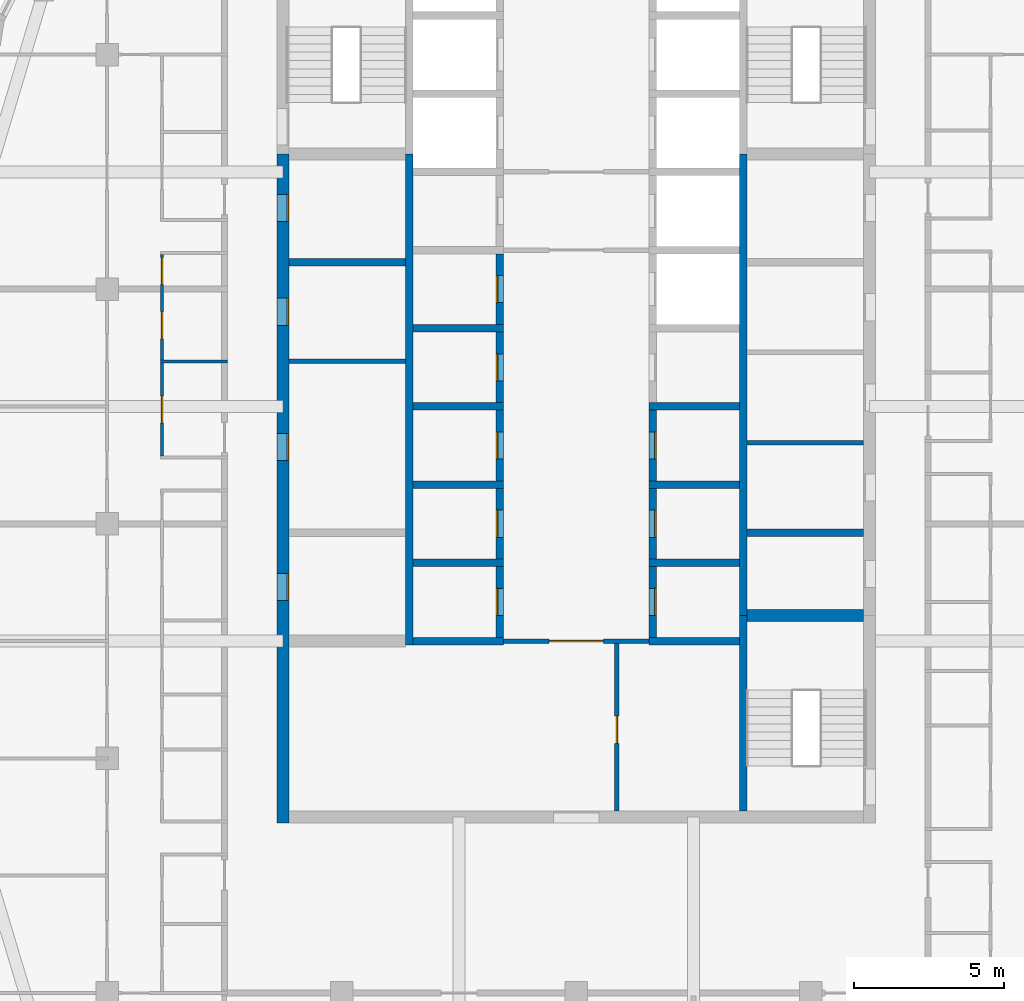
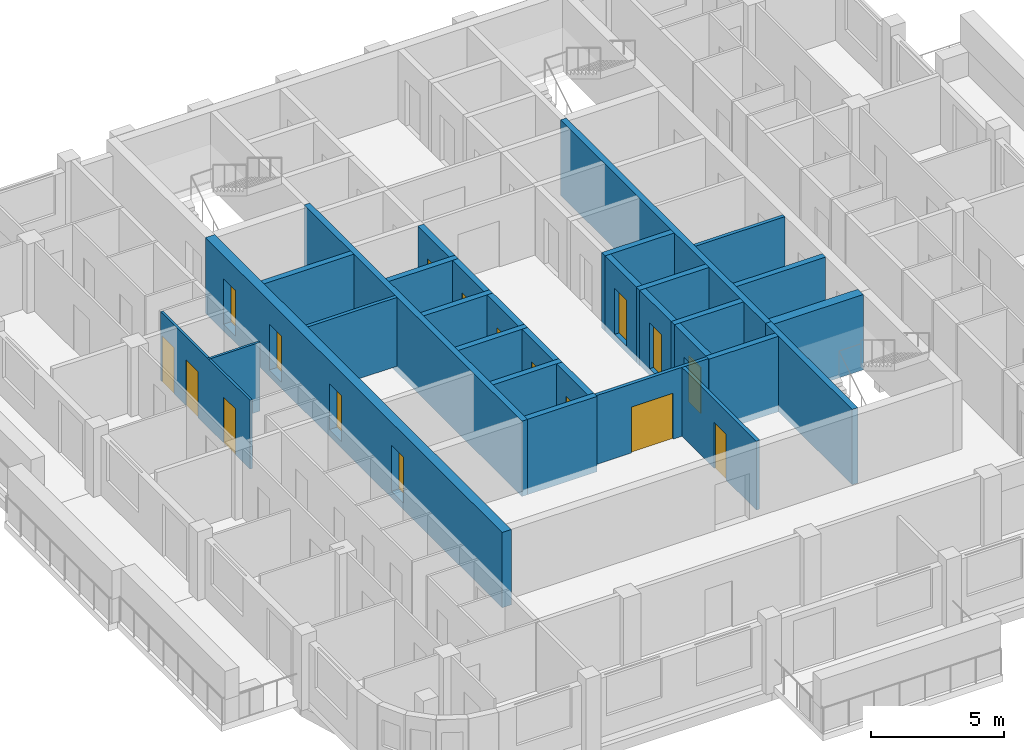
# One storey, part 4 of 13: 30 walls, 17 doors, 17 openings.
"""IFC4 building model written with IfcOpenShell, lengths in metres."""

from ifc_helpers import new_model, si_unit, direction, frame, frame_2d, origin, place, context, subcontext, project, spatial, rectangle, extrude, material, layer, layer_set, type_object, element, fill, save


model = new_model("IFC4")

# Units and contexts
model_context = context("Model", 3, precision=1e-05, world=origin(), true_north=direction((0.0, 1.0)))
body_context = subcontext(model_context, "Body", "Model", "MODEL_VIEW")
ifc_project = project(units=[si_unit("LENGTHUNIT", "METRE"), si_unit("AREAUNIT", "SQUARE_METRE"), si_unit("VOLUMEUNIT", "CUBIC_METRE"), si_unit("PLANEANGLEUNIT", "RADIAN"), si_unit("MASSUNIT", "GRAM", prefix="KILO")], contexts=[model_context])

# Site, building, storey
site_placement = place(None, origin())
site = spatial("IfcSite", under=ifc_project, at=site_placement, CompositionType="ELEMENT")
building_placement = place(site_placement, origin())
building = spatial("IfcBuilding", under=site, at=building_placement, Name="Ludao Terraces", CompositionType="ELEMENT")
storey_placement = place(building_placement, frame((0.0, 0.0, 246.0)))
storey = spatial("IfcBuildingStorey", under=building, at=storey_placement, Name="L67", CompositionType="ELEMENT", Elevation=246.0)

# Wall, openings, doors
ifc_material_1 = material(Name="Concrete C50", Category="concrete")
ifc_layer_1 = layer(ifc_material_1, 0.39990234375)
ifc_layer_set_1 = layer_set([ifc_layer_1], Name="Core wall 400 C50")
wall_type_1 = type_object("IfcWallType", Name="Core wall 400 C50", PredefinedType="SOLIDWALL", material=ifc_layer_set_1)
wall_1_placement = place(storey_placement, frame((75.25, 55.050048828125, -0.300048828125), z_axis=(0.0, 0.0, 1.0), x_axis=(0.0, 1.0, 0.0)))
wall_1 = element("IfcWall", 1, at=wall_1_placement, inside=storey, type_object=wall_type_1, Name="Core wall L67 outer-W", PredefinedType="SOLIDWALL", context=body_context, shape_type="SweptSolid", body=[
    extrude(rectangle(XDim=22.25, YDim=0.39990234375, at=frame_2d((11.125, 0.0))), origin(), (0.0, 0.0, 1.0), 3.449951171875),
])
opening_1_placement = place(wall_1_placement, frame((7.39990234375, 0.0, 0.300048828125)))
opening_1 = element("IfcOpeningElement", 2, at=opening_1_placement, cuts=wall_1, Name="Opening R24-030", PredefinedType="OPENING", context=body_context, shape_type="SweptSolid", body=[
    extrude(rectangle(XDim=0.89990234375, YDim=2.10009765625, at=frame_2d((0.449951171875, 1.050048828125))), frame((0.0, 0.2099609375, 0.0), z_axis=(0.0, -1.0, 0.0), x_axis=(1.0, 0.0, 0.0)), (0.0, 0.0, 1.0), 0.419921875),
])
opening_2_placement = place(wall_1_placement, frame((12.050048828125, 0.0, 0.300048828125)))
opening_2 = element("IfcOpeningElement", 3, at=opening_2_placement, cuts=wall_1, Name="Opening R24-043", PredefinedType="OPENING", context=body_context, shape_type="SweptSolid", body=[
    extrude(rectangle(XDim=0.89990234375, YDim=2.10009765625, at=frame_2d((0.449951171875, 1.050048828125))), frame((0.0, 0.2099609375, 0.0), z_axis=(0.0, -1.0, 0.0), x_axis=(1.0, 0.0, 0.0)), (0.0, 0.0, 1.0), 0.419921875),
])
opening_3_placement = place(wall_1_placement, frame((16.550048828125, 0.0, 0.300048828125)))
opening_3 = element("IfcOpeningElement", 4, at=opening_3_placement, cuts=wall_1, Name="Opening R24-057", PredefinedType="OPENING", context=body_context, shape_type="SweptSolid", body=[
    extrude(rectangle(XDim=0.89990234375, YDim=2.10009765625, at=frame_2d((0.449951171875, 1.050048828125))), frame((0.0, 0.2099609375, 0.0), z_axis=(0.0, -1.0, 0.0), x_axis=(1.0, 0.0, 0.0)), (0.0, 0.0, 1.0), 0.419921875),
])
opening_4_placement = place(wall_1_placement, frame((20.0, 0.0, 0.300048828125)))
opening_4 = element("IfcOpeningElement", 5, at=opening_4_placement, cuts=wall_1, Name="Opening R24-066", PredefinedType="OPENING", context=body_context, shape_type="SweptSolid", body=[
    extrude(rectangle(XDim=0.89990234375, YDim=2.10009765625, at=frame_2d((0.449951171875, 1.050048828125))), frame((0.0, 0.2099609375, 0.0), z_axis=(0.0, -1.0, 0.0), x_axis=(1.0, 0.0, 0.0)), (0.0, 0.0, 1.0), 0.419921875),
])
ifc_material_2 = material(Name="Steel Q235", Category="steel")
door_type_1 = type_object("IfcDoorType", Name="INT Riser door 900", OperationType="SINGLE_SWING_LEFT", PredefinedType="DOOR", material=ifc_material_2)
door_1_placement = place(opening_1_placement, origin())
door_1 = element("IfcDoor", 6, at=door_1_placement, inside=storey, type_object=door_type_1, Name="DOOR 030", OperationType="SINGLE_SWING_RIGHT", OverallHeight=2.10009765625, OverallWidth=0.89990234375, PredefinedType="DOOR", context=body_context, shape_type="SweptSolid", body=[
    extrude(rectangle(XDim=0.89990234375, YDim=2.10009765625, at=frame_2d((0.449951171875, 1.050048828125))), frame((0.0, -0.134765625, 0.0), z_axis=(0.0, -1.0, 0.0), x_axis=(1.0, 0.0, 0.0)), (0.0, 0.0, 1.0), 0.050048828125),
])
fill(opening_1, door_1)
door_2_placement = place(opening_4_placement, origin())
door_2 = element("IfcDoor", 7, at=door_2_placement, inside=storey, type_object=door_type_1, Name="DOOR 066", OperationType="SINGLE_SWING_LEFT", OverallHeight=2.10009765625, OverallWidth=0.89990234375, PredefinedType="DOOR", context=body_context, shape_type="SweptSolid", body=[
    extrude(rectangle(XDim=0.89990234375, YDim=2.10009765625, at=frame_2d((0.449951171875, 1.050048828125))), frame((0.0, -0.134765625, 0.0), z_axis=(0.0, -1.0, 0.0), x_axis=(1.0, 0.0, 0.0)), (0.0, 0.0, 1.0), 0.050048828125),
])
fill(opening_4, door_2)
ifc_material_3 = material(Name="Timber door leaf", Category="wood")
door_type_2 = type_object("IfcDoorType", Name="INT Room door 900", OperationType="SINGLE_SWING_LEFT", PredefinedType="DOOR", material=ifc_material_3)
door_3_placement = place(opening_2_placement, origin())
door_3 = element("IfcDoor", 8, at=door_3_placement, inside=storey, type_object=door_type_2, Name="DOOR 043", OperationType="SINGLE_SWING_RIGHT", OverallHeight=2.10009765625, OverallWidth=0.89990234375, PredefinedType="DOOR", context=body_context, shape_type="SweptSolid", body=[
    extrude(rectangle(XDim=0.89990234375, YDim=2.10009765625, at=frame_2d((0.449951171875, 1.050048828125))), frame((0.0, -0.134765625, 0.0), z_axis=(0.0, -1.0, 0.0), x_axis=(1.0, 0.0, 0.0)), (0.0, 0.0, 1.0), 0.050048828125),
])
fill(opening_2, door_3)
door_4_placement = place(opening_3_placement, origin())
door_4 = element("IfcDoor", 9, at=door_4_placement, inside=storey, type_object=door_type_2, Name="DOOR 057", OperationType="SINGLE_SWING_RIGHT", OverallHeight=2.10009765625, OverallWidth=0.89990234375, PredefinedType="DOOR", context=body_context, shape_type="SweptSolid", body=[
    extrude(rectangle(XDim=0.89990234375, YDim=2.10009765625, at=frame_2d((0.449951171875, 1.050048828125))), frame((0.0, -0.134765625, 0.0), z_axis=(0.0, -1.0, 0.0), x_axis=(1.0, 0.0, 0.0)), (0.0, 0.0, 1.0), 0.050048828125),
])
fill(opening_3, door_4)

# Wall, opening, door
ifc_material_4 = material(Name="Fire-rated gypsum plasterboard", Category="gypsum")
ifc_layer_2 = layer(ifc_material_4, 0.012451171875, Category="gypsum")
ifc_material_5 = material(Name="Mineral wool")
ifc_layer_3 = layer(ifc_material_5, 0.10009765625, Name="insulation")
ifc_layer_4 = layer(ifc_material_2, 0.02490234375, Name="stud")
ifc_layer_5 = layer(ifc_material_4, 0.012451171875, Category="gypsum")
ifc_layer_set_2 = layer_set([ifc_layer_2, ifc_layer_3, ifc_layer_4, ifc_layer_5], Name="INT Core partition 150")
wall_type_2 = type_object("IfcWallType", Name="INT Core partition 150", PredefinedType="PARTITIONING", material=ifc_layer_set_2)
wall_2_placement = place(storey_placement, frame((82.5751953125, 61.10009765625, 0.0), z_axis=(0.0, 0.0, 1.0), x_axis=(1.0, 0.0, 0.0)))
wall_2 = element("IfcWall", 10, at=wall_2_placement, inside=storey, type_object=wall_type_2, Name="PW-L67-PW017", PredefinedType="PARTITIONING", context=body_context, shape_type="SweptSolid", body=[
    extrude(rectangle(XDim=4.849853515625, YDim=0.14990234375, at=frame_2d((2.4248046875, 0.0))), origin(), (0.0, 0.0, 1.0), 3.14990234375),
])
opening_5_placement = place(wall_2_placement, frame((1.52490234375, 0.0, 0.0)))
opening_5 = element("IfcOpeningElement", 11, at=opening_5_placement, cuts=wall_2, Name="Opening R24-026", PredefinedType="OPENING", context=body_context, shape_type="SweptSolid", body=[
    extrude(rectangle(XDim=1.800048828125, YDim=2.10009765625, at=frame_2d((0.89990234375, 1.050048828125))), frame((0.0, 0.0849609375, 0.0), z_axis=(0.0, -1.0, 0.0), x_axis=(1.0, 0.0, 0.0)), (0.0, 0.0, 1.0), 0.169921875),
])
door_type_3 = type_object("IfcDoorType", Name="INT Fire lobby door 1800", OperationType="DOUBLE_DOOR_SINGLE_SWING", PredefinedType="DOOR", material=ifc_material_2)
door_5_placement = place(opening_5_placement, origin())
door_5 = element("IfcDoor", 12, at=door_5_placement, inside=storey, type_object=door_type_3, Name="DOOR 026", OperationType="DOUBLE_DOOR_SINGLE_SWING", OverallHeight=2.10009765625, OverallWidth=1.800048828125, PredefinedType="DOOR", context=body_context, shape_type="SweptSolid", body=[
    extrude(rectangle(XDim=1.800048828125, YDim=2.10009765625, at=frame_2d((0.89990234375, 1.050048828125))), frame((0.0, 0.02490234375, 0.0), z_axis=(0.0, -1.0, 0.0), x_axis=(1.0, 0.0, 0.0)), (0.0, 0.0, 1.0), 0.050048828125),
])
fill(opening_5, door_5)

# Walls
for number, where, z_axis, x_axis, name in (
    (13, (90.675048828125, 67.699951171875, 0.0), (0.0, 0.0, 1.0), (1.0, 0.0, 0.0), "PW-L67-PW026"),
    (14, (75.4501953125, 70.39990234375, 0.0), (0.0, 0.0, 1.0), (1.0, 0.0, 0.0), "PW-L67-PW032"),
):
    element("IfcWall", number, at=place(storey_placement, frame(where, z_axis=z_axis, x_axis=x_axis)), inside=storey, type_object=wall_type_2, Name=name, PredefinedType="PARTITIONING", context=body_context, shape_type="SweptSolid", body=[
        extrude(rectangle(XDim=3.875, YDim=0.14990234375, at=frame_2d((1.9375, 0.0))), origin(), (0.0, 0.0, 1.0), 3.14990234375),
    ])

# Wall, opening, door
wall_3_placement = place(storey_placement, frame((86.35009765625, 55.4501953125, 0.0), z_axis=(0.0, 0.0, 1.0), x_axis=(0.0, 1.0, 0.0)))
wall_3 = element("IfcWall", 15, at=wall_3_placement, inside=storey, type_object=wall_type_2, Name="PW-L67-PW053", PredefinedType="PARTITIONING", context=body_context, shape_type="SweptSolid", body=[
    extrude(rectangle(XDim=5.574951171875, YDim=0.14990234375, at=frame_2d((2.78759765625, 0.0))), origin(), (0.0, 0.0, 1.0), 3.14990234375),
])
opening_6_placement = place(wall_3_placement, frame((2.25, 0.0, 0.0)))
opening_6 = element("IfcOpeningElement", 16, at=opening_6_placement, cuts=wall_3, Name="Opening R24-020", PredefinedType="OPENING", context=body_context, shape_type="SweptSolid", body=[
    extrude(rectangle(XDim=0.89990234375, YDim=2.10009765625, at=frame_2d((0.449951171875, 1.050048828125))), frame((0.0, 0.0849609375, 0.0), z_axis=(0.0, -1.0, 0.0), x_axis=(1.0, 0.0, 0.0)), (0.0, 0.0, 1.0), 0.169921875),
])
door_6_placement = place(opening_6_placement, origin())
door_6 = element("IfcDoor", 17, at=door_6_placement, inside=storey, type_object=door_type_2, Name="DOOR 020", OperationType="SINGLE_SWING_RIGHT", OverallHeight=2.10009765625, OverallWidth=0.89990234375, PredefinedType="DOOR", context=body_context, shape_type="SweptSolid", body=[
    extrude(rectangle(XDim=0.89990234375, YDim=2.10009765625, at=frame_2d((0.449951171875, 1.050048828125))), frame((0.0, 0.02490234375, 0.0), z_axis=(0.0, -1.0, 0.0), x_axis=(1.0, 0.0, 0.0)), (0.0, 0.0, 1.0), 0.050048828125),
])
fill(opening_6, door_6)

# Wall
ifc_material_6 = material(Name="Gypsum plasterboard", Category="gypsum")
ifc_layer_6 = layer(ifc_material_6, 0.012451171875, Category="gypsum")
ifc_layer_7 = layer(ifc_material_5, 0.06005859375, Name="insulation")
ifc_layer_8 = layer(ifc_material_2, 0.014892578125, Name="stud")
ifc_layer_9 = layer(ifc_material_6, 0.012451171875, Category="gypsum")
ifc_layer_set_3 = layer_set([ifc_layer_6, ifc_layer_7, ifc_layer_8, ifc_layer_9], Name="INT Partition 100")
wall_type_3 = type_object("IfcWallType", Name="INT Partition 100", PredefinedType="PARTITIONING", material=ifc_layer_set_3)
wall_4_placement = place(storey_placement, frame((71.18017578125, 70.39990234375, 0.0), z_axis=(0.0, 0.0, 1.0), x_axis=(1.0, 0.0, 0.0)))
element("IfcWall", 18, at=wall_4_placement, inside=storey, type_object=wall_type_3, Name="PW-L67-PW031", PredefinedType="PARTITIONING", context=body_context, shape_type="SweptSolid", body=[
    extrude(rectangle(XDim=2.219970703125, YDim=0.10009765625, at=frame_2d((1.10986328125, 0.0))), origin(), (0.0, 0.0, 1.0), 3.14990234375),
])

# Wall, openings, doors
wall_5_placement = place(storey_placement, frame((71.22998046875, 67.25, 0.0), z_axis=(0.0, 0.0, 1.0), x_axis=(0.0, 1.0, 0.0)))
wall_5 = element("IfcWall", 19, at=wall_5_placement, inside=storey, type_object=wall_type_3, Name="PW-L67-PW049", PredefinedType="PARTITIONING", context=body_context, shape_type="SweptSolid", body=[
    extrude(rectangle(XDim=6.7001953125, YDim=0.10009765625, at=frame_2d((3.35009765625, 0.0))), origin(), (0.0, 0.0, 1.0), 3.14990234375),
])
opening_7_placement = place(wall_5_placement, frame((1.10009765625, 0.0, 0.0)))
opening_7 = element("IfcOpeningElement", 20, at=opening_7_placement, cuts=wall_5, Name="Opening R24-048", PredefinedType="OPENING", context=body_context, shape_type="SweptSolid", body=[
    extrude(rectangle(XDim=0.89990234375, YDim=2.10009765625, at=frame_2d((0.449951171875, 1.050048828125))), frame((0.0, 0.06005859375, 0.0), z_axis=(0.0, -1.0, 0.0), x_axis=(1.0, 0.0, 0.0)), (0.0, 0.0, 1.0), 0.1201171875),
])
opening_8_placement = place(wall_5_placement, frame((3.900146484375, 0.0, 0.0)))
opening_8 = element("IfcOpeningElement", 21, at=opening_8_placement, cuts=wall_5, Name="Opening R24-056", PredefinedType="OPENING", context=body_context, shape_type="SweptSolid", body=[
    extrude(rectangle(XDim=0.89990234375, YDim=2.10009765625, at=frame_2d((0.449951171875, 1.050048828125))), frame((0.0, 0.06005859375, 0.0), z_axis=(0.0, -1.0, 0.0), x_axis=(1.0, 0.0, 0.0)), (0.0, 0.0, 1.0), 0.1201171875),
])
opening_9_placement = place(wall_5_placement, frame((5.7001953125, 0.0, 0.0)))
opening_9 = element("IfcOpeningElement", 22, at=opening_9_placement, cuts=wall_5, Name="Opening R24-061", PredefinedType="OPENING", context=body_context, shape_type="SweptSolid", body=[
    extrude(rectangle(XDim=0.89990234375, YDim=2.10009765625, at=frame_2d((0.449951171875, 1.050048828125))), frame((0.0, 0.06005859375, 0.0), z_axis=(0.0, -1.0, 0.0), x_axis=(1.0, 0.0, 0.0)), (0.0, 0.0, 1.0), 0.1201171875),
])
door_type_4 = type_object("IfcDoorType", Name="INT Bathroom door 900", OperationType="SINGLE_SWING_LEFT", PredefinedType="DOOR", material=ifc_material_3)
door_7_placement = place(opening_8_placement, origin())
door_7 = element("IfcDoor", 23, at=door_7_placement, inside=storey, type_object=door_type_4, Name="DOOR 056", OperationType="SINGLE_SWING_RIGHT", OverallHeight=2.10009765625, OverallWidth=0.89990234375, PredefinedType="DOOR", context=body_context, shape_type="SweptSolid", body=[
    extrude(rectangle(XDim=0.89990234375, YDim=2.10009765625, at=frame_2d((0.449951171875, 1.050048828125))), frame((0.0, 0.02490234375, 0.0), z_axis=(0.0, -1.0, 0.0), x_axis=(1.0, 0.0, 0.0)), (0.0, 0.0, 1.0), 0.050048828125),
])
fill(opening_8, door_7)
door_8_placement = place(opening_9_placement, origin())
door_8 = element("IfcDoor", 24, at=door_8_placement, inside=storey, type_object=door_type_4, Name="DOOR 061", OperationType="SINGLE_SWING_RIGHT", OverallHeight=2.10009765625, OverallWidth=0.89990234375, PredefinedType="DOOR", context=body_context, shape_type="SweptSolid", body=[
    extrude(rectangle(XDim=0.89990234375, YDim=2.10009765625, at=frame_2d((0.449951171875, 1.050048828125))), frame((0.0, 0.02490234375, 0.0), z_axis=(0.0, -1.0, 0.0), x_axis=(1.0, 0.0, 0.0)), (0.0, 0.0, 1.0), 0.050048828125),
])
fill(opening_9, door_8)
door_9_placement = place(opening_7_placement, origin())
door_9 = element("IfcDoor", 25, at=door_9_placement, inside=storey, type_object=door_type_2, Name="DOOR 048", OperationType="SINGLE_SWING_RIGHT", OverallHeight=2.10009765625, OverallWidth=0.89990234375, PredefinedType="DOOR", context=body_context, shape_type="SweptSolid", body=[
    extrude(rectangle(XDim=0.89990234375, YDim=2.10009765625, at=frame_2d((0.449951171875, 1.050048828125))), frame((0.0, 0.02490234375, 0.0), z_axis=(0.0, -1.0, 0.0), x_axis=(1.0, 0.0, 0.0)), (0.0, 0.0, 1.0), 0.050048828125),
])
fill(opening_7, door_9)

# Walls
ifc_layer_10 = layer(ifc_material_1, 0.25)
ifc_layer_set_4 = layer_set([ifc_layer_10], Name="Shaft wall 250 C50")
wall_type_4 = type_object("IfcWallType", Name="Shaft wall 250 C50", PredefinedType="SOLIDWALL", material=ifc_layer_set_4)
wall_6_placement = place(storey_placement, frame((79.449951171875, 60.97509765625, -0.300048828125), z_axis=(0.0, 0.0, 1.0), x_axis=(0.0, 1.0, 0.0)))
element("IfcWall", 26, at=wall_6_placement, inside=storey, type_object=wall_type_4, Name="Core wall L67 back-W", PredefinedType="SOLIDWALL", context=body_context, shape_type="SweptSolid", body=[
    extrude(rectangle(XDim=16.324951171875, YDim=0.25, at=frame_2d((8.16259765625, 0.0))), origin(), (0.0, 0.0, 1.0), 3.449951171875),
])
wall_7_placement = place(storey_placement, frame((90.550048828125, 55.449951171875, -0.300048828125), z_axis=(0.0, 0.0, 1.0), x_axis=(0.0, 1.0, 0.0)))
element("IfcWall", 27, at=wall_7_placement, inside=storey, type_object=wall_type_4, Name="Core wall L67 back-E-S3", PredefinedType="SOLIDWALL", context=body_context, shape_type="SweptSolid", body=[
    extrude(rectangle(XDim=6.5, YDim=0.25, at=frame_2d((3.25, 0.0))), origin(), (0.0, 0.0, 1.0), 3.449951171875),
])
wall_8_placement = place(storey_placement, frame((90.550048828125, 61.949951171875, -0.300048828125), z_axis=(0.0, 0.0, 1.0), x_axis=(0.0, 1.0, 0.0)))
element("IfcWall", 28, at=wall_8_placement, inside=storey, type_object=wall_type_4, Name="Core wall L67 back-E", PredefinedType="SOLIDWALL", context=body_context, shape_type="SweptSolid", body=[
    extrude(rectangle(XDim=15.35009765625, YDim=0.25, at=frame_2d((7.675048828125, 0.0))), origin(), (0.0, 0.0, 1.0), 3.449951171875),
])
wall_9_placement = place(storey_placement, frame((79.574951171875, 61.10009765625, -0.300048828125), z_axis=(0.0, 0.0, 1.0), x_axis=(1.0, 0.0, 0.0)))
element("IfcWall", 29, at=wall_9_placement, inside=storey, type_object=wall_type_4, Name="Core wall L67 div-W1", PredefinedType="SOLIDWALL", context=body_context, shape_type="SweptSolid", body=[
    extrude(rectangle(XDim=3.0, YDim=0.25, at=frame_2d((1.5, 0.0))), origin(), (0.0, 0.0, 1.0), 3.449951171875),
])

# Wall, opening, door
wall_10_placement = place(storey_placement, frame((82.449951171875, 61.22509765625, -0.300048828125), z_axis=(0.0, 0.0, 1.0), x_axis=(0.0, 1.0, 0.0)))
wall_10 = element("IfcWall", 30, at=wall_10_placement, inside=storey, type_object=wall_type_4, Name="Core wall L67 front-W1", PredefinedType="SOLIDWALL", context=body_context, shape_type="SweptSolid", body=[
    extrude(rectangle(XDim=2.349853515625, YDim=0.25, at=frame_2d((1.1748046875, 0.0))), origin(), (0.0, 0.0, 1.0), 3.449951171875),
])
opening_10_placement = place(wall_10_placement, frame((0.72509765625, 0.0, 0.300048828125)))
opening_10 = element("IfcOpeningElement", 31, at=opening_10_placement, cuts=wall_10, Name="Opening R24-028", PredefinedType="OPENING", context=body_context, shape_type="SweptSolid", body=[
    extrude(rectangle(XDim=0.89990234375, YDim=2.10009765625, at=frame_2d((0.449951171875, 1.050048828125))), frame((0.0, 0.135009765625, 0.0), z_axis=(0.0, -1.0, 0.0), x_axis=(1.0, 0.0, 0.0)), (0.0, 0.0, 1.0), 0.27001953125),
])
door_10_placement = place(opening_10_placement, origin())
door_10 = element("IfcDoor", 32, at=door_10_placement, inside=storey, type_object=door_type_2, Name="DOOR 028", OperationType="SINGLE_SWING_LEFT", OverallHeight=2.10009765625, OverallWidth=0.89990234375, PredefinedType="DOOR", context=body_context, shape_type="SweptSolid", body=[
    extrude(rectangle(XDim=0.89990234375, YDim=2.10009765625, at=frame_2d((0.449951171875, 1.050048828125))), frame((0.0, 0.10986328125, 0.0), z_axis=(0.0, -1.0, 0.0), x_axis=(1.0, 0.0, 0.0)), (0.0, 0.0, 1.0), 0.050048828125),
])
fill(opening_10, door_10)

# Wall
wall_11_placement = place(storey_placement, frame((79.574951171875, 63.699951171875, -0.300048828125), z_axis=(0.0, 0.0, 1.0), x_axis=(1.0, 0.0, 0.0)))
element("IfcWall", 33, at=wall_11_placement, inside=storey, type_object=wall_type_4, Name="Core wall L67 div-W2", PredefinedType="SOLIDWALL", context=body_context, shape_type="SweptSolid", body=[
    extrude(rectangle(XDim=3.0, YDim=0.25, at=frame_2d((1.5, 0.0))), origin(), (0.0, 0.0, 1.0), 3.449951171875),
])

# Wall, opening, door
wall_12_placement = place(storey_placement, frame((82.449951171875, 63.824951171875, -0.300048828125), z_axis=(0.0, 0.0, 1.0), x_axis=(0.0, 1.0, 0.0)))
wall_12 = element("IfcWall", 34, at=wall_12_placement, inside=storey, type_object=wall_type_4, Name="Core wall L67 front-W2", PredefinedType="SOLIDWALL", context=body_context, shape_type="SweptSolid", body=[
    extrude(rectangle(XDim=2.35009765625, YDim=0.25, at=frame_2d((1.175048828125, 0.0))), origin(), (0.0, 0.0, 1.0), 3.449951171875),
])
opening_11_placement = place(wall_12_placement, frame((0.72509765625, 0.0, 0.300048828125)))
opening_11 = element("IfcOpeningElement", 35, at=opening_11_placement, cuts=wall_12, Name="Opening R24-036", PredefinedType="OPENING", context=body_context, shape_type="SweptSolid", body=[
    extrude(rectangle(XDim=0.89990234375, YDim=2.10009765625, at=frame_2d((0.449951171875, 1.050048828125))), frame((0.0, 0.135009765625, 0.0), z_axis=(0.0, -1.0, 0.0), x_axis=(1.0, 0.0, 0.0)), (0.0, 0.0, 1.0), 0.27001953125),
])
door_11_placement = place(opening_11_placement, origin())
door_11 = element("IfcDoor", 36, at=door_11_placement, inside=storey, type_object=door_type_2, Name="DOOR 036", OperationType="SINGLE_SWING_LEFT", OverallHeight=2.10009765625, OverallWidth=0.89990234375, PredefinedType="DOOR", context=body_context, shape_type="SweptSolid", body=[
    extrude(rectangle(XDim=0.89990234375, YDim=2.10009765625, at=frame_2d((0.449951171875, 1.050048828125))), frame((0.0, 0.10986328125, 0.0), z_axis=(0.0, -1.0, 0.0), x_axis=(1.0, 0.0, 0.0)), (0.0, 0.0, 1.0), 0.050048828125),
])
fill(opening_11, door_11)

# Wall
wall_13_placement = place(storey_placement, frame((79.574951171875, 66.300048828125, -0.300048828125), z_axis=(0.0, 0.0, 1.0), x_axis=(1.0, 0.0, 0.0)))
element("IfcWall", 37, at=wall_13_placement, inside=storey, type_object=wall_type_4, Name="Core wall L67 div-W3", PredefinedType="SOLIDWALL", context=body_context, shape_type="SweptSolid", body=[
    extrude(rectangle(XDim=3.0, YDim=0.25, at=frame_2d((1.5, 0.0))), origin(), (0.0, 0.0, 1.0), 3.449951171875),
])

# Wall, opening, door
wall_14_placement = place(storey_placement, frame((82.449951171875, 66.425048828125, -0.300048828125), z_axis=(0.0, 0.0, 1.0), x_axis=(0.0, 1.0, 0.0)))
wall_14 = element("IfcWall", 38, at=wall_14_placement, inside=storey, type_object=wall_type_4, Name="Core wall L67 front-W3", PredefinedType="SOLIDWALL", context=body_context, shape_type="SweptSolid", body=[
    extrude(rectangle(XDim=2.349853515625, YDim=0.25, at=frame_2d((1.1748046875, 0.0))), origin(), (0.0, 0.0, 1.0), 3.449951171875),
])
opening_12_placement = place(wall_14_placement, frame((0.72509765625, 0.0, 0.300048828125)))
opening_12 = element("IfcOpeningElement", 39, at=opening_12_placement, cuts=wall_14, Name="Opening R24-044", PredefinedType="OPENING", context=body_context, shape_type="SweptSolid", body=[
    extrude(rectangle(XDim=0.89990234375, YDim=2.10009765625, at=frame_2d((0.449951171875, 1.050048828125))), frame((0.0, 0.135009765625, 0.0), z_axis=(0.0, -1.0, 0.0), x_axis=(1.0, 0.0, 0.0)), (0.0, 0.0, 1.0), 0.27001953125),
])
door_12_placement = place(opening_12_placement, origin())
door_12 = element("IfcDoor", 40, at=door_12_placement, inside=storey, type_object=door_type_2, Name="DOOR 044", OperationType="SINGLE_SWING_LEFT", OverallHeight=2.10009765625, OverallWidth=0.89990234375, PredefinedType="DOOR", context=body_context, shape_type="SweptSolid", body=[
    extrude(rectangle(XDim=0.89990234375, YDim=2.10009765625, at=frame_2d((0.449951171875, 1.050048828125))), frame((0.0, 0.10986328125, 0.0), z_axis=(0.0, -1.0, 0.0), x_axis=(1.0, 0.0, 0.0)), (0.0, 0.0, 1.0), 0.050048828125),
])
fill(opening_12, door_12)

# Wall
wall_15_placement = place(storey_placement, frame((79.574951171875, 68.89990234375, -0.300048828125), z_axis=(0.0, 0.0, 1.0), x_axis=(1.0, 0.0, 0.0)))
element("IfcWall", 41, at=wall_15_placement, inside=storey, type_object=wall_type_4, Name="Core wall L67 div-W4", PredefinedType="SOLIDWALL", context=body_context, shape_type="SweptSolid", body=[
    extrude(rectangle(XDim=3.0, YDim=0.25, at=frame_2d((1.5, 0.0))), origin(), (0.0, 0.0, 1.0), 3.449951171875),
])

# Wall, opening, door
wall_16_placement = place(storey_placement, frame((82.449951171875, 69.02490234375, -0.300048828125), z_axis=(0.0, 0.0, 1.0), x_axis=(0.0, 1.0, 0.0)))
wall_16 = element("IfcWall", 42, at=wall_16_placement, inside=storey, type_object=wall_type_4, Name="Core wall L67 front-W4", PredefinedType="SOLIDWALL", context=body_context, shape_type="SweptSolid", body=[
    extrude(rectangle(XDim=2.35009765625, YDim=0.25, at=frame_2d((1.175048828125, 0.0))), origin(), (0.0, 0.0, 1.0), 3.449951171875),
])
opening_13_placement = place(wall_16_placement, frame((0.72509765625, 0.0, 0.300048828125)))
opening_13 = element("IfcOpeningElement", 43, at=opening_13_placement, cuts=wall_16, Name="Opening R24-051", PredefinedType="OPENING", context=body_context, shape_type="SweptSolid", body=[
    extrude(rectangle(XDim=0.89990234375, YDim=2.10009765625, at=frame_2d((0.449951171875, 1.050048828125))), frame((0.0, 0.135009765625, 0.0), z_axis=(0.0, -1.0, 0.0), x_axis=(1.0, 0.0, 0.0)), (0.0, 0.0, 1.0), 0.27001953125),
])
door_13_placement = place(opening_13_placement, origin())
door_13 = element("IfcDoor", 44, at=door_13_placement, inside=storey, type_object=door_type_2, Name="DOOR 051", OperationType="SINGLE_SWING_RIGHT", OverallHeight=2.10009765625, OverallWidth=0.89990234375, PredefinedType="DOOR", context=body_context, shape_type="SweptSolid", body=[
    extrude(rectangle(XDim=0.89990234375, YDim=2.10009765625, at=frame_2d((0.449951171875, 1.050048828125))), frame((0.0, 0.10986328125, 0.0), z_axis=(0.0, -1.0, 0.0), x_axis=(1.0, 0.0, 0.0)), (0.0, 0.0, 1.0), 0.050048828125),
])
fill(opening_13, door_13)

# Wall
wall_17_placement = place(storey_placement, frame((79.574951171875, 71.5, -0.300048828125), z_axis=(0.0, 0.0, 1.0), x_axis=(1.0, 0.0, 0.0)))
element("IfcWall", 45, at=wall_17_placement, inside=storey, type_object=wall_type_4, Name="Core wall L67 div-W5", PredefinedType="SOLIDWALL", context=body_context, shape_type="SweptSolid", body=[
    extrude(rectangle(XDim=3.0, YDim=0.25, at=frame_2d((1.5, 0.0))), origin(), (0.0, 0.0, 1.0), 3.449951171875),
])

# Wall, opening, door
wall_18_placement = place(storey_placement, frame((82.449951171875, 71.625, -0.300048828125), z_axis=(0.0, 0.0, 1.0), x_axis=(0.0, 1.0, 0.0)))
wall_18 = element("IfcWall", 46, at=wall_18_placement, inside=storey, type_object=wall_type_4, Name="Core wall L67 front-W5", PredefinedType="SOLIDWALL", context=body_context, shape_type="SweptSolid", body=[
    extrude(rectangle(XDim=2.35009765625, YDim=0.25, at=frame_2d((1.175048828125, 0.0))), origin(), (0.0, 0.0, 1.0), 3.449951171875),
])
opening_14_placement = place(wall_18_placement, frame((0.72509765625, 0.0, 0.300048828125)))
opening_14 = element("IfcOpeningElement", 47, at=opening_14_placement, cuts=wall_18, Name="Opening R24-059", PredefinedType="OPENING", context=body_context, shape_type="SweptSolid", body=[
    extrude(rectangle(XDim=0.89990234375, YDim=2.10009765625, at=frame_2d((0.449951171875, 1.050048828125))), frame((0.0, 0.135009765625, 0.0), z_axis=(0.0, -1.0, 0.0), x_axis=(1.0, 0.0, 0.0)), (0.0, 0.0, 1.0), 0.27001953125),
])
door_14_placement = place(opening_14_placement, origin())
door_14 = element("IfcDoor", 48, at=door_14_placement, inside=storey, type_object=door_type_2, Name="DOOR 059", OperationType="SINGLE_SWING_LEFT", OverallHeight=2.10009765625, OverallWidth=0.89990234375, PredefinedType="DOOR", context=body_context, shape_type="SweptSolid", body=[
    extrude(rectangle(XDim=0.89990234375, YDim=2.10009765625, at=frame_2d((0.449951171875, 1.050048828125))), frame((0.0, 0.10986328125, 0.0), z_axis=(0.0, -1.0, 0.0), x_axis=(1.0, 0.0, 0.0)), (0.0, 0.0, 1.0), 0.050048828125),
])
fill(opening_14, door_14)

# Wall
wall_19_placement = place(storey_placement, frame((87.425048828125, 61.10009765625, -0.300048828125), z_axis=(0.0, 0.0, 1.0), x_axis=(1.0, 0.0, 0.0)))
element("IfcWall", 49, at=wall_19_placement, inside=storey, type_object=wall_type_4, Name="Core wall L67 div-E1", PredefinedType="SOLIDWALL", context=body_context, shape_type="SweptSolid", body=[
    extrude(rectangle(XDim=3.0, YDim=0.25, at=frame_2d((1.5, 0.0))), origin(), (0.0, 0.0, 1.0), 3.449951171875),
])

# Wall, opening, door
wall_20_placement = place(storey_placement, frame((87.550048828125, 61.22509765625, -0.300048828125), z_axis=(0.0, 0.0, 1.0), x_axis=(0.0, 1.0, 0.0)))
wall_20 = element("IfcWall", 50, at=wall_20_placement, inside=storey, type_object=wall_type_4, Name="Core wall L67 front-E1", PredefinedType="SOLIDWALL", context=body_context, shape_type="SweptSolid", body=[
    extrude(rectangle(XDim=2.349853515625, YDim=0.25, at=frame_2d((1.1748046875, 0.0))), origin(), (0.0, 0.0, 1.0), 3.449951171875),
])
opening_15_placement = place(wall_20_placement, frame((0.72509765625, 0.0, 0.300048828125)))
opening_15 = element("IfcOpeningElement", 51, at=opening_15_placement, cuts=wall_20, Name="Opening R24-029", PredefinedType="OPENING", context=body_context, shape_type="SweptSolid", body=[
    extrude(rectangle(XDim=0.89990234375, YDim=2.10009765625, at=frame_2d((0.449951171875, 1.050048828125))), frame((0.0, 0.135009765625, 0.0), z_axis=(0.0, -1.0, 0.0), x_axis=(1.0, 0.0, 0.0)), (0.0, 0.0, 1.0), 0.27001953125),
])
door_15_placement = place(opening_15_placement, origin())
door_15 = element("IfcDoor", 52, at=door_15_placement, inside=storey, type_object=door_type_2, Name="DOOR 029", OperationType="SINGLE_SWING_RIGHT", OverallHeight=2.10009765625, OverallWidth=0.89990234375, PredefinedType="DOOR", context=body_context, shape_type="SweptSolid", body=[
    extrude(rectangle(XDim=0.89990234375, YDim=2.10009765625, at=frame_2d((0.449951171875, 1.050048828125))), frame((0.0, -0.06005859375, 0.0), z_axis=(0.0, -1.0, 0.0), x_axis=(1.0, 0.0, 0.0)), (0.0, 0.0, 1.0), 0.050048828125),
])
fill(opening_15, door_15)

# Wall
wall_21_placement = place(storey_placement, frame((87.425048828125, 63.699951171875, -0.300048828125), z_axis=(0.0, 0.0, 1.0), x_axis=(1.0, 0.0, 0.0)))
element("IfcWall", 53, at=wall_21_placement, inside=storey, type_object=wall_type_4, Name="Core wall L67 div-E2", PredefinedType="SOLIDWALL", context=body_context, shape_type="SweptSolid", body=[
    extrude(rectangle(XDim=3.0, YDim=0.25, at=frame_2d((1.5, 0.0))), origin(), (0.0, 0.0, 1.0), 3.449951171875),
])

# Wall, opening, door
wall_22_placement = place(storey_placement, frame((87.550048828125, 63.824951171875, -0.300048828125), z_axis=(0.0, 0.0, 1.0), x_axis=(0.0, 1.0, 0.0)))
wall_22 = element("IfcWall", 54, at=wall_22_placement, inside=storey, type_object=wall_type_4, Name="Core wall L67 front-E2", PredefinedType="SOLIDWALL", context=body_context, shape_type="SweptSolid", body=[
    extrude(rectangle(XDim=2.35009765625, YDim=0.25, at=frame_2d((1.175048828125, 0.0))), origin(), (0.0, 0.0, 1.0), 3.449951171875),
])
opening_16_placement = place(wall_22_placement, frame((0.72509765625, 0.0, 0.300048828125)))
opening_16 = element("IfcOpeningElement", 55, at=opening_16_placement, cuts=wall_22, Name="Opening R24-037", PredefinedType="OPENING", context=body_context, shape_type="SweptSolid", body=[
    extrude(rectangle(XDim=0.89990234375, YDim=2.10009765625, at=frame_2d((0.449951171875, 1.050048828125))), frame((0.0, 0.135009765625, 0.0), z_axis=(0.0, -1.0, 0.0), x_axis=(1.0, 0.0, 0.0)), (0.0, 0.0, 1.0), 0.27001953125),
])
door_16_placement = place(opening_16_placement, origin())
door_16 = element("IfcDoor", 56, at=door_16_placement, inside=storey, type_object=door_type_2, Name="DOOR 037", OperationType="SINGLE_SWING_RIGHT", OverallHeight=2.10009765625, OverallWidth=0.89990234375, PredefinedType="DOOR", context=body_context, shape_type="SweptSolid", body=[
    extrude(rectangle(XDim=0.89990234375, YDim=2.10009765625, at=frame_2d((0.449951171875, 1.050048828125))), frame((0.0, -0.06005859375, 0.0), z_axis=(0.0, -1.0, 0.0), x_axis=(1.0, 0.0, 0.0)), (0.0, 0.0, 1.0), 0.050048828125),
])
fill(opening_16, door_16)

# Wall
wall_23_placement = place(storey_placement, frame((87.425048828125, 66.300048828125, -0.300048828125), z_axis=(0.0, 0.0, 1.0), x_axis=(1.0, 0.0, 0.0)))
element("IfcWall", 57, at=wall_23_placement, inside=storey, type_object=wall_type_4, Name="Core wall L67 div-E3", PredefinedType="SOLIDWALL", context=body_context, shape_type="SweptSolid", body=[
    extrude(rectangle(XDim=3.0, YDim=0.25, at=frame_2d((1.5, 0.0))), origin(), (0.0, 0.0, 1.0), 3.449951171875),
])

# Wall, opening, door
wall_24_placement = place(storey_placement, frame((87.550048828125, 66.425048828125, -0.300048828125), z_axis=(0.0, 0.0, 1.0), x_axis=(0.0, 1.0, 0.0)))
wall_24 = element("IfcWall", 58, at=wall_24_placement, inside=storey, type_object=wall_type_4, Name="Core wall L67 front-E3", PredefinedType="SOLIDWALL", context=body_context, shape_type="SweptSolid", body=[
    extrude(rectangle(XDim=2.349853515625, YDim=0.25, at=frame_2d((1.1748046875, 0.0))), origin(), (0.0, 0.0, 1.0), 3.449951171875),
])
opening_17_placement = place(wall_24_placement, frame((0.72509765625, 0.0, 0.300048828125)))
opening_17 = element("IfcOpeningElement", 59, at=opening_17_placement, cuts=wall_24, Name="Opening R24-045", PredefinedType="OPENING", context=body_context, shape_type="SweptSolid", body=[
    extrude(rectangle(XDim=0.89990234375, YDim=2.10009765625, at=frame_2d((0.449951171875, 1.050048828125))), frame((0.0, 0.135009765625, 0.0), z_axis=(0.0, -1.0, 0.0), x_axis=(1.0, 0.0, 0.0)), (0.0, 0.0, 1.0), 0.27001953125),
])
door_17_placement = place(opening_17_placement, origin())
door_17 = element("IfcDoor", 60, at=door_17_placement, inside=storey, type_object=door_type_2, Name="DOOR 045", OperationType="SINGLE_SWING_RIGHT", OverallHeight=2.10009765625, OverallWidth=0.89990234375, PredefinedType="DOOR", context=body_context, shape_type="SweptSolid", body=[
    extrude(rectangle(XDim=0.89990234375, YDim=2.10009765625, at=frame_2d((0.449951171875, 1.050048828125))), frame((0.0, -0.06005859375, 0.0), z_axis=(0.0, -1.0, 0.0), x_axis=(1.0, 0.0, 0.0)), (0.0, 0.0, 1.0), 0.050048828125),
])
fill(opening_17, door_17)

# Walls
wall_25_placement = place(storey_placement, frame((87.425048828125, 68.89990234375, -0.300048828125), z_axis=(0.0, 0.0, 1.0), x_axis=(1.0, 0.0, 0.0)))
element("IfcWall", 61, at=wall_25_placement, inside=storey, type_object=wall_type_4, Name="Core wall L67 div-E4", PredefinedType="SOLIDWALL", context=body_context, shape_type="SweptSolid", body=[
    extrude(rectangle(XDim=3.0, YDim=0.25, at=frame_2d((1.5, 0.0))), origin(), (0.0, 0.0, 1.0), 3.449951171875),
])
for number, where, z_axis, x_axis, name in (
    (62, (75.449951171875, 73.699951171875, -0.300048828125), (0.0, 0.0, 1.0), (1.0, 0.0, 0.0), "Core wall L67 riser-b-W"),
    (63, (90.675048828125, 64.699951171875, -0.300048828125), (0.0, 0.0, 1.0), (1.0, 0.0, 0.0), "Core wall L67 riser-a-E"),
):
    element("IfcWall", number, at=place(storey_placement, frame(where, z_axis=z_axis, x_axis=x_axis)), inside=storey, type_object=wall_type_4, Name=name, PredefinedType="SOLIDWALL", context=body_context, shape_type="SweptSolid", body=[
        extrude(rectangle(XDim=3.875, YDim=0.25, at=frame_2d((1.9375, 0.0))), origin(), (0.0, 0.0, 1.0), 3.449951171875),
    ])
ifc_layer_11 = layer(ifc_material_1, 0.39990234375)
ifc_layer_set_5 = layer_set([ifc_layer_11], Name="Shaft wall 400 C50")
wall_type_5 = type_object("IfcWallType", Name="Shaft wall 400 C50", PredefinedType="SOLIDWALL", material=ifc_layer_set_5)
wall_26_placement = place(storey_placement, frame((90.675048828125, 61.949951171875, -0.300048828125), z_axis=(0.0, 0.0, 1.0), x_axis=(1.0, 0.0, 0.0)))
element("IfcWall", 64, at=wall_26_placement, inside=storey, type_object=wall_type_5, Name="Core wall L67 hall-E", PredefinedType="SOLIDWALL", context=body_context, shape_type="SweptSolid", body=[
    extrude(rectangle(XDim=3.875, YDim=0.39990234375, at=frame_2d((1.9375, 0.0))), origin(), (0.0, 0.0, 1.0), 3.449951171875),
])

save(model, "model.ifc")
